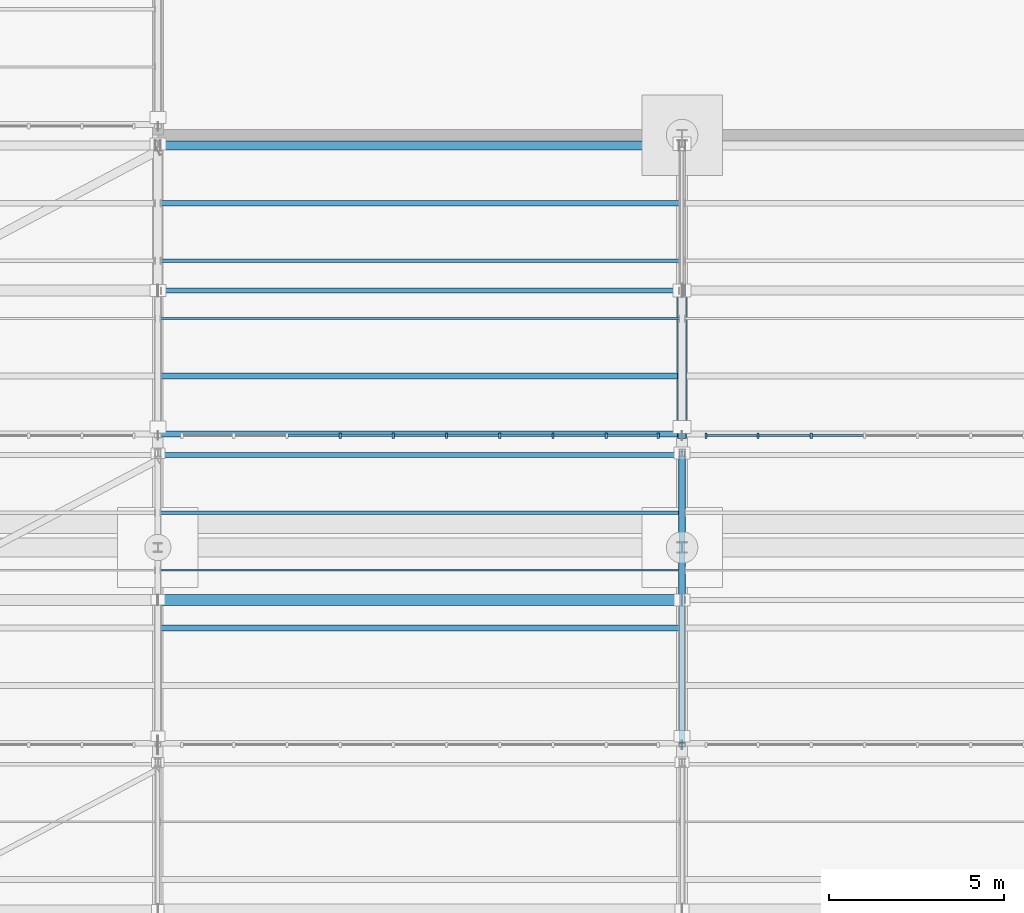
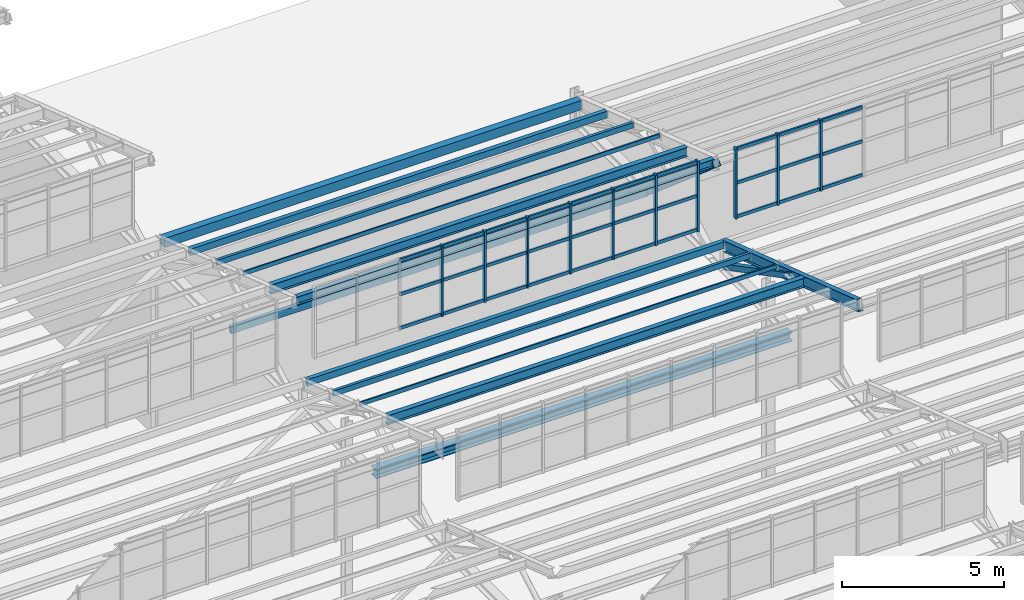
# One storey, part 97 of 285: 44 members, 11 beams, 2 elements without a shape of their own.
"""IFC4 building model written with IfcOpenShell, lengths in metres."""

from ifc_helpers import new_model, si_unit, direction, frame, origin, origin_2d, place, context, subcontext, project, spatial, rectangle, hollow_rectangle, i_section, extrude, material, material_profile, profile_set, type_object, element, aggregate, save


model = new_model("IFC4")

# Units and contexts
model_context = context("Model", 3, precision=1e-05, world=origin(), true_north=direction((0.0, 1.0)))
body_context = subcontext(model_context, "Body", "Model", "MODEL_VIEW")
ifc_project = project(units=[si_unit("LENGTHUNIT", "METRE"), si_unit("AREAUNIT", "SQUARE_METRE"), si_unit("VOLUMEUNIT", "CUBIC_METRE"), si_unit("PLANEANGLEUNIT", "RADIAN"), si_unit("MASSUNIT", "GRAM", prefix="KILO")], contexts=[model_context])

# Site, building, storey
site_placement = place(None, origin())
site = spatial("IfcSite", under=ifc_project, at=site_placement, CompositionType="ELEMENT")
building_placement = place(site_placement, origin())
building = spatial("IfcBuilding", under=site, at=building_placement, Name="Solanera Park Tramway Depot", CompositionType="ELEMENT")
storey_placement = place(building_placement, origin())
storey = spatial("IfcBuildingStorey", under=building, at=storey_placement, Name="L00", CompositionType="ELEMENT", Elevation=0.0)

# Curtain wall, members
ifc_material_1 = material(Name="Bronze-anodised thermally broken aluminium curtain wall", Category="aluminium")
curtain_wall_type = type_object("IfcCurtainWallType", Name="Sawtooth Clerestory Monitor Curtain Wall", PredefinedType="NOTDEFINED", material=ifc_material_1)
curtain_wall_1_placement = place(storey_placement, origin())
curtain_wall_1 = element("IfcCurtainWall", 1, at=curtain_wall_1_placement, inside=storey, type_object=curtain_wall_type, Name="L00 Sawtooth Clerestory Monitor Curtain Wall #055", PredefinedType="NOTDEFINED")
ifc_material_2 = material(Name="Bronze-anodised structural aluminium 6063-T6", Category="aluminium")
ifc_material_profile_1 = material_profile(ifc_material_2, rectangle(XDim=0.06494140625, YDim=0.14990234375, at=origin_2d()), Name="Curtain Wall Mullion 65x150")
ifc_profile_set_1 = profile_set([ifc_material_profile_1], Name="Bronze-anodised structural aluminium 6063-T6")
member_type_1 = type_object("IfcMemberType", Name="Curtain Wall Mullion 65x150", PredefinedType="MULLION", material=ifc_profile_set_1)
member_1_placement = place(storey_placement, frame((65.216796875, 117.699951171875, 7.75), z_axis=(0.0, 0.0, 1.0), x_axis=(1.0, 0.0, 0.0)))
member_1 = element("IfcMember", 2, at=member_1_placement, type_object=member_type_1, Name="CW-L00-055 Mullion 4", PredefinedType="MULLION", context=body_context, shape_type="SweptSolid", body=[
    extrude(rectangle(XDim=0.06494140625, YDim=0.14990234375, at=origin_2d()), origin(), (0.0, 0.0, 1.0), 2.6611328125),
])
member_2_placement = place(storey_placement, frame((66.739013671875, 117.699951171875, 7.75), z_axis=(0.0, 0.0, 1.0), x_axis=(1.0, 0.0, 0.0)))
member_2 = element("IfcMember", 3, at=member_2_placement, type_object=member_type_1, Name="CW-L00-055 Mullion 5", PredefinedType="MULLION", context=body_context, shape_type="SweptSolid", body=[
    extrude(rectangle(XDim=0.06494140625, YDim=0.14990234375, at=origin_2d()), origin(), (0.0, 0.0, 1.0), 2.6611328125),
])
member_3_placement = place(storey_placement, frame((68.260986328125, 117.699951171875, 7.75), z_axis=(0.0, 0.0, 1.0), x_axis=(1.0, 0.0, 0.0)))
member_3 = element("IfcMember", 4, at=member_3_placement, type_object=member_type_1, Name="CW-L00-055 Mullion 6", PredefinedType="MULLION", context=body_context, shape_type="SweptSolid", body=[
    extrude(rectangle(XDim=0.06494140625, YDim=0.14990234375, at=origin_2d()), origin(), (0.0, 0.0, 1.0), 2.6611328125),
])
member_4_placement = place(storey_placement, frame((69.783203125, 117.699951171875, 7.75), z_axis=(0.0, 0.0, 1.0), x_axis=(1.0, 0.0, 0.0)))
member_4 = element("IfcMember", 5, at=member_4_placement, type_object=member_type_1, Name="CW-L00-055 Mullion 7", PredefinedType="MULLION", context=body_context, shape_type="SweptSolid", body=[
    extrude(rectangle(XDim=0.06494140625, YDim=0.14990234375, at=origin_2d()), origin(), (0.0, 0.0, 1.0), 2.6611328125),
])
member_5_placement = place(storey_placement, frame((71.3056640625, 117.699951171875, 7.75), z_axis=(0.0, 0.0, 1.0), x_axis=(1.0, 0.0, 0.0)))
member_5 = element("IfcMember", 6, at=member_5_placement, type_object=member_type_1, Name="CW-L00-055 Mullion 8", PredefinedType="MULLION", context=body_context, shape_type="SweptSolid", body=[
    extrude(rectangle(XDim=0.06494140625, YDim=0.14990234375, at=origin_2d()), origin(), (0.0, 0.0, 1.0), 2.6611328125),
])
member_6_placement = place(storey_placement, frame((72.827880859375, 117.699951171875, 7.75), z_axis=(0.0, 0.0, 1.0), x_axis=(1.0, 0.0, 0.0)))
member_6 = element("IfcMember", 7, at=member_6_placement, type_object=member_type_1, Name="CW-L00-055 Mullion 9", PredefinedType="MULLION", context=body_context, shape_type="SweptSolid", body=[
    extrude(rectangle(XDim=0.06494140625, YDim=0.14990234375, at=origin_2d()), origin(), (0.0, 0.0, 1.0), 2.6611328125),
])
member_7_placement = place(storey_placement, frame((74.3173828125, 117.699951171875, 7.75), z_axis=(0.0, 0.0, 1.0), x_axis=(1.0, 0.0, 0.0)))
member_7 = element("IfcMember", 8, at=member_7_placement, type_object=member_type_1, Name="CW-L00-055 Mullion 10", PredefinedType="MULLION", context=body_context, shape_type="SweptSolid", body=[
    extrude(rectangle(XDim=0.06494140625, YDim=0.14990234375, at=origin_2d()), origin(), (0.0, 0.0, 1.0), 2.6611328125),
])

curtain_wall_2_placement = place(storey_placement, origin())
curtain_wall_2 = element("IfcCurtainWall", 9, at=curtain_wall_2_placement, inside=storey, type_object=curtain_wall_type, Name="L00 Sawtooth Clerestory Monitor Curtain Wall #056", PredefinedType="NOTDEFINED")
member_8_placement = place(storey_placement, frame((75.6826171875, 117.699951171875, 7.75), z_axis=(0.0, 0.0, 1.0), x_axis=(1.0, 0.0, 0.0)))
member_8 = element("IfcMember", 10, at=member_8_placement, type_object=member_type_1, Name="CW-L00-056 Mullion 1", PredefinedType="MULLION", context=body_context, shape_type="SweptSolid", body=[
    extrude(rectangle(XDim=0.06494140625, YDim=0.14990234375, at=origin_2d()), origin(), (0.0, 0.0, 1.0), 2.6611328125),
])
member_9_placement = place(storey_placement, frame((77.172119140625, 117.699951171875, 7.75), z_axis=(0.0, 0.0, 1.0), x_axis=(1.0, 0.0, 0.0)))
member_9 = element("IfcMember", 11, at=member_9_placement, type_object=member_type_1, Name="CW-L00-056 Mullion 2", PredefinedType="MULLION", context=body_context, shape_type="SweptSolid", body=[
    extrude(rectangle(XDim=0.06494140625, YDim=0.14990234375, at=origin_2d()), origin(), (0.0, 0.0, 1.0), 2.6611328125),
])
member_10_placement = place(storey_placement, frame((78.6943359375, 117.699951171875, 7.75), z_axis=(0.0, 0.0, 1.0), x_axis=(1.0, 0.0, 0.0)))
member_10 = element("IfcMember", 12, at=member_10_placement, type_object=member_type_1, Name="CW-L00-056 Mullion 3", PredefinedType="MULLION", context=body_context, shape_type="SweptSolid", body=[
    extrude(rectangle(XDim=0.06494140625, YDim=0.14990234375, at=origin_2d()), origin(), (0.0, 0.0, 1.0), 2.6611328125),
])

# Member
ifc_material_3 = material(Name="Bronze-anodised structural aluminium 6063-T6", Category="aluminium")
ifc_material_profile_2 = material_profile(ifc_material_3, rectangle(XDim=0.06494140625, YDim=0.1201171875, at=origin_2d()), Name="Curtain Wall Transom 65x120")
ifc_profile_set_2 = profile_set([ifc_material_profile_2], Name="Bronze-anodised structural aluminium 6063-T6")
member_type_2 = type_object("IfcMemberType", Name="Curtain Wall Transom 65x120", PredefinedType="USERDEFINED", material=ifc_profile_set_2)
member_11_placement = place(storey_placement, frame((63.722412109375, 117.699951171875, 7.81005859375), z_axis=(1.0, 0.0, 0.0), x_axis=(0.0, 1.0, 0.0)))
member_11 = element("IfcMember", 13, at=member_11_placement, type_object=member_type_2, Name="CW-L00-055 Transom R1.C3", ObjectType="TRANSOM", PredefinedType="USERDEFINED", context=body_context, shape_type="SweptSolid", body=[
    extrude(rectangle(XDim=0.06494140625, YDim=0.1201171875, at=origin_2d()), origin(), (0.0, 0.0, 1.0), 1.46630859375),
])

member_12_placement = place(storey_placement, frame((65.24462890625, 117.699951171875, 7.81005859375), z_axis=(1.0, 0.0, 0.0), x_axis=(0.0, 1.0, 0.0)))
member_12 = element("IfcMember", 14, at=member_12_placement, type_object=member_type_2, Name="CW-L00-055 Transom R1.C4", ObjectType="TRANSOM", PredefinedType="USERDEFINED", context=body_context, shape_type="SweptSolid", body=[
    extrude(rectangle(XDim=0.06494140625, YDim=0.1201171875, at=origin_2d()), origin(), (0.0, 0.0, 1.0), 1.46630859375),
])

member_13_placement = place(storey_placement, frame((66.766845703125, 117.699951171875, 7.81005859375), z_axis=(1.0, 0.0, 0.0), x_axis=(0.0, 1.0, 0.0)))
member_13 = element("IfcMember", 15, at=member_13_placement, type_object=member_type_2, Name="CW-L00-055 Transom R1.C5", ObjectType="TRANSOM", PredefinedType="USERDEFINED", context=body_context, shape_type="SweptSolid", body=[
    extrude(rectangle(XDim=0.06494140625, YDim=0.1201171875, at=origin_2d()), origin(), (0.0, 0.0, 1.0), 1.46630859375),
])

member_14_placement = place(storey_placement, frame((68.2890625, 117.699951171875, 7.81005859375), z_axis=(1.0, 0.0, 0.0), x_axis=(0.0, 1.0, 0.0)))
member_14 = element("IfcMember", 16, at=member_14_placement, type_object=member_type_2, Name="CW-L00-055 Transom R1.C6", ObjectType="TRANSOM", PredefinedType="USERDEFINED", context=body_context, shape_type="SweptSolid", body=[
    extrude(rectangle(XDim=0.06494140625, YDim=0.1201171875, at=origin_2d()), origin(), (0.0, 0.0, 1.0), 1.46630859375),
])

member_15_placement = place(storey_placement, frame((69.811279296875, 117.699951171875, 7.81005859375), z_axis=(1.0, 0.0, 0.0), x_axis=(0.0, 1.0, 0.0)))
member_15 = element("IfcMember", 17, at=member_15_placement, type_object=member_type_2, Name="CW-L00-055 Transom R1.C7", ObjectType="TRANSOM", PredefinedType="USERDEFINED", context=body_context, shape_type="SweptSolid", body=[
    extrude(rectangle(XDim=0.06494140625, YDim=0.1201171875, at=origin_2d()), origin(), (0.0, 0.0, 1.0), 1.46630859375),
])

member_16_placement = place(storey_placement, frame((71.33349609375, 117.699951171875, 7.81005859375), z_axis=(1.0, 0.0, 0.0), x_axis=(0.0, 1.0, 0.0)))
member_16 = element("IfcMember", 18, at=member_16_placement, type_object=member_type_2, Name="CW-L00-055 Transom R1.C8", ObjectType="TRANSOM", PredefinedType="USERDEFINED", context=body_context, shape_type="SweptSolid", body=[
    extrude(rectangle(XDim=0.06494140625, YDim=0.1201171875, at=origin_2d()), origin(), (0.0, 0.0, 1.0), 1.46630859375),
])

member_17_placement = place(storey_placement, frame((72.855712890625, 117.699951171875, 7.81005859375), z_axis=(1.0, 0.0, 0.0), x_axis=(0.0, 1.0, 0.0)))
member_17 = element("IfcMember", 19, at=member_17_placement, type_object=member_type_2, Name="CW-L00-055 Transom R1.C9", ObjectType="TRANSOM", PredefinedType="USERDEFINED", context=body_context, shape_type="SweptSolid", body=[
    extrude(rectangle(XDim=0.06494140625, YDim=0.1201171875, at=origin_2d()), origin(), (0.0, 0.0, 1.0), 1.433837890625),
])

member_18_placement = place(storey_placement, frame((63.722412109375, 117.699951171875, 9.08056640625), z_axis=(1.0, 0.0, 0.0), x_axis=(0.0, 1.0, 0.0)))
member_18 = element("IfcMember", 20, at=member_18_placement, type_object=member_type_2, Name="CW-L00-055 Transom R2.C3", ObjectType="TRANSOM", PredefinedType="USERDEFINED", context=body_context, shape_type="SweptSolid", body=[
    extrude(rectangle(XDim=0.06494140625, YDim=0.1201171875, at=origin_2d()), origin(), (0.0, 0.0, 1.0), 1.46630859375),
])

member_19_placement = place(storey_placement, frame((65.24462890625, 117.699951171875, 9.08056640625), z_axis=(1.0, 0.0, 0.0), x_axis=(0.0, 1.0, 0.0)))
member_19 = element("IfcMember", 21, at=member_19_placement, type_object=member_type_2, Name="CW-L00-055 Transom R2.C4", ObjectType="TRANSOM", PredefinedType="USERDEFINED", context=body_context, shape_type="SweptSolid", body=[
    extrude(rectangle(XDim=0.06494140625, YDim=0.1201171875, at=origin_2d()), origin(), (0.0, 0.0, 1.0), 1.46630859375),
])

member_20_placement = place(storey_placement, frame((66.766845703125, 117.699951171875, 9.08056640625), z_axis=(1.0, 0.0, 0.0), x_axis=(0.0, 1.0, 0.0)))
member_20 = element("IfcMember", 22, at=member_20_placement, type_object=member_type_2, Name="CW-L00-055 Transom R2.C5", ObjectType="TRANSOM", PredefinedType="USERDEFINED", context=body_context, shape_type="SweptSolid", body=[
    extrude(rectangle(XDim=0.06494140625, YDim=0.1201171875, at=origin_2d()), origin(), (0.0, 0.0, 1.0), 1.46630859375),
])

member_21_placement = place(storey_placement, frame((68.2890625, 117.699951171875, 9.08056640625), z_axis=(1.0, 0.0, 0.0), x_axis=(0.0, 1.0, 0.0)))
member_21 = element("IfcMember", 23, at=member_21_placement, type_object=member_type_2, Name="CW-L00-055 Transom R2.C6", ObjectType="TRANSOM", PredefinedType="USERDEFINED", context=body_context, shape_type="SweptSolid", body=[
    extrude(rectangle(XDim=0.06494140625, YDim=0.1201171875, at=origin_2d()), origin(), (0.0, 0.0, 1.0), 1.46630859375),
])

member_22_placement = place(storey_placement, frame((69.811279296875, 117.699951171875, 9.08056640625), z_axis=(1.0, 0.0, 0.0), x_axis=(0.0, 1.0, 0.0)))
member_22 = element("IfcMember", 24, at=member_22_placement, type_object=member_type_2, Name="CW-L00-055 Transom R2.C7", ObjectType="TRANSOM", PredefinedType="USERDEFINED", context=body_context, shape_type="SweptSolid", body=[
    extrude(rectangle(XDim=0.06494140625, YDim=0.1201171875, at=origin_2d()), origin(), (0.0, 0.0, 1.0), 1.46630859375),
])

member_23_placement = place(storey_placement, frame((71.33349609375, 117.699951171875, 9.08056640625), z_axis=(1.0, 0.0, 0.0), x_axis=(0.0, 1.0, 0.0)))
member_23 = element("IfcMember", 25, at=member_23_placement, type_object=member_type_2, Name="CW-L00-055 Transom R2.C8", ObjectType="TRANSOM", PredefinedType="USERDEFINED", context=body_context, shape_type="SweptSolid", body=[
    extrude(rectangle(XDim=0.06494140625, YDim=0.1201171875, at=origin_2d()), origin(), (0.0, 0.0, 1.0), 1.46630859375),
])

member_24_placement = place(storey_placement, frame((72.855712890625, 117.699951171875, 9.08056640625), z_axis=(1.0, 0.0, 0.0), x_axis=(0.0, 1.0, 0.0)))
member_24 = element("IfcMember", 26, at=member_24_placement, type_object=member_type_2, Name="CW-L00-055 Transom R2.C9", ObjectType="TRANSOM", PredefinedType="USERDEFINED", context=body_context, shape_type="SweptSolid", body=[
    extrude(rectangle(XDim=0.06494140625, YDim=0.1201171875, at=origin_2d()), origin(), (0.0, 0.0, 1.0), 1.433837890625),
])

member_25_placement = place(storey_placement, frame((63.722412109375, 117.699951171875, 10.351318359375), z_axis=(1.0, 0.0, 0.0), x_axis=(0.0, 1.0, 0.0)))
member_25 = element("IfcMember", 27, at=member_25_placement, type_object=member_type_2, Name="CW-L00-055 Transom R3.C3", ObjectType="TRANSOM", PredefinedType="USERDEFINED", context=body_context, shape_type="SweptSolid", body=[
    extrude(rectangle(XDim=0.06494140625, YDim=0.1201171875, at=origin_2d()), origin(), (0.0, 0.0, 1.0), 1.46630859375),
])

member_26_placement = place(storey_placement, frame((65.24462890625, 117.699951171875, 10.351318359375), z_axis=(1.0, 0.0, 0.0), x_axis=(0.0, 1.0, 0.0)))
member_26 = element("IfcMember", 28, at=member_26_placement, type_object=member_type_2, Name="CW-L00-055 Transom R3.C4", ObjectType="TRANSOM", PredefinedType="USERDEFINED", context=body_context, shape_type="SweptSolid", body=[
    extrude(rectangle(XDim=0.06494140625, YDim=0.1201171875, at=origin_2d()), origin(), (0.0, 0.0, 1.0), 1.46630859375),
])

member_27_placement = place(storey_placement, frame((66.766845703125, 117.699951171875, 10.351318359375), z_axis=(1.0, 0.0, 0.0), x_axis=(0.0, 1.0, 0.0)))
member_27 = element("IfcMember", 29, at=member_27_placement, type_object=member_type_2, Name="CW-L00-055 Transom R3.C5", ObjectType="TRANSOM", PredefinedType="USERDEFINED", context=body_context, shape_type="SweptSolid", body=[
    extrude(rectangle(XDim=0.06494140625, YDim=0.1201171875, at=origin_2d()), origin(), (0.0, 0.0, 1.0), 1.46630859375),
])

member_28_placement = place(storey_placement, frame((68.2890625, 117.699951171875, 10.351318359375), z_axis=(1.0, 0.0, 0.0), x_axis=(0.0, 1.0, 0.0)))
member_28 = element("IfcMember", 30, at=member_28_placement, type_object=member_type_2, Name="CW-L00-055 Transom R3.C6", ObjectType="TRANSOM", PredefinedType="USERDEFINED", context=body_context, shape_type="SweptSolid", body=[
    extrude(rectangle(XDim=0.06494140625, YDim=0.1201171875, at=origin_2d()), origin(), (0.0, 0.0, 1.0), 1.46630859375),
])

member_29_placement = place(storey_placement, frame((69.811279296875, 117.699951171875, 10.351318359375), z_axis=(1.0, 0.0, 0.0), x_axis=(0.0, 1.0, 0.0)))
member_29 = element("IfcMember", 31, at=member_29_placement, type_object=member_type_2, Name="CW-L00-055 Transom R3.C7", ObjectType="TRANSOM", PredefinedType="USERDEFINED", context=body_context, shape_type="SweptSolid", body=[
    extrude(rectangle(XDim=0.06494140625, YDim=0.1201171875, at=origin_2d()), origin(), (0.0, 0.0, 1.0), 1.46630859375),
])

member_30_placement = place(storey_placement, frame((71.33349609375, 117.699951171875, 10.351318359375), z_axis=(1.0, 0.0, 0.0), x_axis=(0.0, 1.0, 0.0)))
member_30 = element("IfcMember", 32, at=member_30_placement, type_object=member_type_2, Name="CW-L00-055 Transom R3.C8", ObjectType="TRANSOM", PredefinedType="USERDEFINED", context=body_context, shape_type="SweptSolid", body=[
    extrude(rectangle(XDim=0.06494140625, YDim=0.1201171875, at=origin_2d()), origin(), (0.0, 0.0, 1.0), 1.46630859375),
])

member_31_placement = place(storey_placement, frame((72.855712890625, 117.699951171875, 10.351318359375), z_axis=(1.0, 0.0, 0.0), x_axis=(0.0, 1.0, 0.0)))
member_31 = element("IfcMember", 33, at=member_31_placement, type_object=member_type_2, Name="CW-L00-055 Transom R3.C9", ObjectType="TRANSOM", PredefinedType="USERDEFINED", context=body_context, shape_type="SweptSolid", body=[
    extrude(rectangle(XDim=0.06494140625, YDim=0.1201171875, at=origin_2d()), origin(), (0.0, 0.0, 1.0), 1.433837890625),
])

aggregate(curtain_wall_1, [member_1, member_2, member_3, member_4, member_5, member_6, member_7, member_11, member_12, member_13, member_14, member_15, member_16, member_17, member_18, member_19, member_20, member_21, member_22, member_23, member_24, member_25, member_26, member_27, member_28, member_29, member_30, member_31])

member_32_placement = place(storey_placement, frame((75.71044921875, 117.699951171875, 7.81005859375), z_axis=(1.0, 0.0, 0.0), x_axis=(0.0, 1.0, 0.0)))
member_32 = element("IfcMember", 34, at=member_32_placement, type_object=member_type_2, Name="CW-L00-056 Transom R1.C1", ObjectType="TRANSOM", PredefinedType="USERDEFINED", context=body_context, shape_type="SweptSolid", body=[
    extrude(rectangle(XDim=0.06494140625, YDim=0.1201171875, at=origin_2d()), origin(), (0.0, 0.0, 1.0), 1.433837890625),
])

member_33_placement = place(storey_placement, frame((77.2001953125, 117.699951171875, 7.81005859375), z_axis=(1.0, 0.0, 0.0), x_axis=(0.0, 1.0, 0.0)))
member_33 = element("IfcMember", 35, at=member_33_placement, type_object=member_type_2, Name="CW-L00-056 Transom R1.C2", ObjectType="TRANSOM", PredefinedType="USERDEFINED", context=body_context, shape_type="SweptSolid", body=[
    extrude(rectangle(XDim=0.06494140625, YDim=0.1201171875, at=origin_2d()), origin(), (0.0, 0.0, 1.0), 1.46630859375),
])

member_34_placement = place(storey_placement, frame((78.722412109375, 117.699951171875, 7.81005859375), z_axis=(1.0, 0.0, 0.0), x_axis=(0.0, 1.0, 0.0)))
member_34 = element("IfcMember", 36, at=member_34_placement, type_object=member_type_2, Name="CW-L00-056 Transom R1.C3", ObjectType="TRANSOM", PredefinedType="USERDEFINED", context=body_context, shape_type="SweptSolid", body=[
    extrude(rectangle(XDim=0.06494140625, YDim=0.1201171875, at=origin_2d()), origin(), (0.0, 0.0, 1.0), 1.46630859375),
])

member_35_placement = place(storey_placement, frame((75.71044921875, 117.699951171875, 9.08056640625), z_axis=(1.0, 0.0, 0.0), x_axis=(0.0, 1.0, 0.0)))
member_35 = element("IfcMember", 37, at=member_35_placement, type_object=member_type_2, Name="CW-L00-056 Transom R2.C1", ObjectType="TRANSOM", PredefinedType="USERDEFINED", context=body_context, shape_type="SweptSolid", body=[
    extrude(rectangle(XDim=0.06494140625, YDim=0.1201171875, at=origin_2d()), origin(), (0.0, 0.0, 1.0), 1.433837890625),
])

member_36_placement = place(storey_placement, frame((77.2001953125, 117.699951171875, 9.08056640625), z_axis=(1.0, 0.0, 0.0), x_axis=(0.0, 1.0, 0.0)))
member_36 = element("IfcMember", 38, at=member_36_placement, type_object=member_type_2, Name="CW-L00-056 Transom R2.C2", ObjectType="TRANSOM", PredefinedType="USERDEFINED", context=body_context, shape_type="SweptSolid", body=[
    extrude(rectangle(XDim=0.06494140625, YDim=0.1201171875, at=origin_2d()), origin(), (0.0, 0.0, 1.0), 1.46630859375),
])

member_37_placement = place(storey_placement, frame((78.722412109375, 117.699951171875, 9.08056640625), z_axis=(1.0, 0.0, 0.0), x_axis=(0.0, 1.0, 0.0)))
member_37 = element("IfcMember", 39, at=member_37_placement, type_object=member_type_2, Name="CW-L00-056 Transom R2.C3", ObjectType="TRANSOM", PredefinedType="USERDEFINED", context=body_context, shape_type="SweptSolid", body=[
    extrude(rectangle(XDim=0.06494140625, YDim=0.1201171875, at=origin_2d()), origin(), (0.0, 0.0, 1.0), 1.46630859375),
])

member_38_placement = place(storey_placement, frame((75.71044921875, 117.699951171875, 10.351318359375), z_axis=(1.0, 0.0, 0.0), x_axis=(0.0, 1.0, 0.0)))
member_38 = element("IfcMember", 40, at=member_38_placement, type_object=member_type_2, Name="CW-L00-056 Transom R3.C1", ObjectType="TRANSOM", PredefinedType="USERDEFINED", context=body_context, shape_type="SweptSolid", body=[
    extrude(rectangle(XDim=0.06494140625, YDim=0.1201171875, at=origin_2d()), origin(), (0.0, 0.0, 1.0), 1.433837890625),
])

member_39_placement = place(storey_placement, frame((77.2001953125, 117.699951171875, 10.351318359375), z_axis=(1.0, 0.0, 0.0), x_axis=(0.0, 1.0, 0.0)))
member_39 = element("IfcMember", 41, at=member_39_placement, type_object=member_type_2, Name="CW-L00-056 Transom R3.C2", ObjectType="TRANSOM", PredefinedType="USERDEFINED", context=body_context, shape_type="SweptSolid", body=[
    extrude(rectangle(XDim=0.06494140625, YDim=0.1201171875, at=origin_2d()), origin(), (0.0, 0.0, 1.0), 1.46630859375),
])

member_40_placement = place(storey_placement, frame((78.722412109375, 117.699951171875, 10.351318359375), z_axis=(1.0, 0.0, 0.0), x_axis=(0.0, 1.0, 0.0)))
member_40 = element("IfcMember", 42, at=member_40_placement, type_object=member_type_2, Name="CW-L00-056 Transom R3.C3", ObjectType="TRANSOM", PredefinedType="USERDEFINED", context=body_context, shape_type="SweptSolid", body=[
    extrude(rectangle(XDim=0.06494140625, YDim=0.1201171875, at=origin_2d()), origin(), (0.0, 0.0, 1.0), 1.46630859375),
])

aggregate(curtain_wall_2, [member_8, member_9, member_10, member_32, member_33, member_34, member_35, member_36, member_37, member_38, member_39, member_40])

# Members
ifc_material_4 = material(Name="Steel AS/NZS 1163 Grade C350L0", Category="steel")
ifc_material_profile_3 = material_profile(ifc_material_4, hollow_rectangle(XDim=0.14990234375, YDim=0.25, WallThickness=0.008056640625, at=origin_2d()), Name="250x150x8.0 RHS")
ifc_profile_set_3 = profile_set([ifc_material_profile_3], Name="Steel AS/NZS 1163 Grade C350L0")
member_type_3 = type_object("IfcMemberType", Name="Secondary Truss Chord 250x150x8.0 RHS", PredefinedType="CHORD", material=ifc_profile_set_3)
member_41_placement = place(storey_placement, frame((60.087890625, 121.85009765625, 6.5), z_axis=(1.0, 0.0, 0.0), x_axis=(0.0, 1.0, 0.0)))
element("IfcMember", 43, at=member_41_placement, inside=storey, type_object=member_type_3, Name="Sawtooth Longitudinal Tie Chord 250x150x8.0 RHS #0359", PredefinedType="CHORD", context=body_context, shape_type="SweptSolid", body=[
    extrude(hollow_rectangle(XDim=0.14990234375, YDim=0.25, WallThickness=0.008056640625, at=origin_2d()), origin(), (0.0, 0.0, 1.0), 14.82421875),
])
ifc_material_5 = material(Name="Steel AS/NZS 3679.1 Grade 350", Category="steel")
ifc_material_profile_4 = material_profile(ifc_material_5, i_section(OverallWidth=0.310546875, OverallDepth=0.3271484375, WebThickness=0.015625, FlangeThickness=0.02490234375, at=origin_2d()), Name="310UC158")
ifc_profile_set_4 = profile_set([ifc_material_profile_4], Name="Steel AS/NZS 3679.1 Grade 350")
member_type_4 = type_object("IfcMemberType", Name="Secondary Truss Chord 310UC158", PredefinedType="CHORD", material=ifc_profile_set_4)
member_42_placement = place(storey_placement, frame((60.087890625, 113.0, 6.5), z_axis=(1.0, 0.0, 0.0), x_axis=(0.0, 1.0, 0.0)))
element("IfcMember", 44, at=member_42_placement, inside=storey, type_object=member_type_4, Name="Sawtooth Longitudinal Tie Chord 310UC158 #0312", PredefinedType="CHORD", context=body_context, shape_type="SweptSolid", body=[
    extrude(i_section(OverallWidth=0.310546875, OverallDepth=0.3271484375, WebThickness=0.015625, FlangeThickness=0.02490234375, at=origin_2d()), origin(), (0.0, 0.0, 1.0), 14.82421875),
])

# Beams
ifc_material_6 = material(Name="Steel AS/NZS 3679.1 Grade 350", Category="steel")
ifc_material_profile_5 = material_profile(ifc_material_6, i_section(OverallWidth=0.177734375, OverallDepth=0.406494140625, WebThickness=0.0078125, FlangeThickness=0.0126953125, at=origin_2d()), Name="410UB59.7")
ifc_profile_set_5 = profile_set([ifc_material_profile_5], Name="Steel AS/NZS 3679.1 Grade 350")
beam_type_1 = type_object("IfcBeamType", Name="Steel Beam 410UB59.7", PredefinedType="BEAM", material=ifc_profile_set_5)
beam_1_placement = place(storey_placement, frame((75.0, 108.85009765625, 10.08154296875), z_axis=(0.0, 0.948319437663, -0.317317261034), x_axis=(-1.0, 0.0, 0.0)))
element("IfcBeam", 45, at=beam_1_placement, inside=storey, type_object=beam_type_1, Name="Sawtooth ROOF TRUSS Top Rafter 410UB59.7 B07-T6", PredefinedType="BEAM", context=body_context, shape_type="SweptSolid", body=[
    extrude(i_section(OverallWidth=0.177734375, OverallDepth=0.406494140625, WebThickness=0.0078125, FlangeThickness=0.0126953125, at=origin_2d()), origin(), (0.0, 0.0, 1.0), 8.804931640625),
])
ifc_material_7 = material(Name="Steel AS/NZS 1163 Grade C350L0", Category="steel")
ifc_material_profile_6 = material_profile(ifc_material_7, hollow_rectangle(XDim=0.050048828125, YDim=0.14990234375, WallThickness=0.0048828125, at=origin_2d()), Name="150x50x5.0 RHS")
ifc_profile_set_6 = profile_set([ifc_material_profile_6], Name="Steel AS/NZS 1163 Grade C350L0")
beam_type_2 = type_object("IfcBeamType", Name="Steel Joist Purlin 150x50x5.0 RHS", PredefinedType="JOIST", material=ifc_profile_set_6)
beam_2_placement = place(storey_placement, frame((60.077880859375, 113.85009765625, 8.550537109375), z_axis=(1.0, 0.0, 0.0), x_axis=(0.0, 1.0, 0.0)))
element("IfcBeam", 46, at=beam_2_placement, inside=storey, type_object=beam_type_2, Name="Sawtooth Roof Purlin 150x50x5.0 RHS B07.4", PredefinedType="JOIST", context=body_context, shape_type="SweptSolid", body=[
    extrude(hollow_rectangle(XDim=0.050048828125, YDim=0.14990234375, WallThickness=0.0048828125, at=origin_2d()), origin(), (0.0, 0.0, 1.0), 14.84130859375),
])
beam_3_placement = place(storey_placement, frame((60.080810546875, 121.050048828125, 9.1025390625), z_axis=(1.0, 0.0, 0.0), x_axis=(0.0, 1.0, 0.0)))
element("IfcBeam", 47, at=beam_3_placement, inside=storey, type_object=beam_type_2, Name="Sawtooth Roof Purlin 150x50x5.0 RHS B08.3", PredefinedType="JOIST", context=body_context, shape_type="SweptSolid", body=[
    extrude(hollow_rectangle(XDim=0.050048828125, YDim=0.14990234375, WallThickness=0.0048828125, at=origin_2d()), origin(), (0.0, 0.0, 1.0), 14.83203125),
])
ifc_material_8 = material(Name="Steel AS/NZS 1163 Grade C350L0", Category="steel")
ifc_material_profile_7 = material_profile(ifc_material_8, hollow_rectangle(XDim=0.10009765625, YDim=0.199951171875, WallThickness=0.006103515625, at=origin_2d()), Name="200x100x6.0 RHS")
ifc_profile_set_7 = profile_set([ifc_material_profile_7], Name="Steel AS/NZS 1163 Grade C350L0")
beam_type_3 = type_object("IfcBeamType", Name="Steel Joist Purlin 200x100x6.0 RHS", PredefinedType="JOIST", material=ifc_profile_set_7)
beam_4_placement = place(storey_placement, frame((60.077880859375, 115.5, 7.965087890625), z_axis=(1.0, 0.0, 0.0), x_axis=(0.0, 1.0, 0.0)))
element("IfcBeam", 48, at=beam_4_placement, inside=storey, type_object=beam_type_3, Name="Sawtooth Roof Purlin 200x100x6.0 RHS B07.5", PredefinedType="JOIST", context=body_context, shape_type="SweptSolid", body=[
    extrude(hollow_rectangle(XDim=0.10009765625, YDim=0.199951171875, WallThickness=0.006103515625, at=origin_2d()), origin(), (0.0, 0.0, 1.0), 14.84130859375),
])
beam_5_placement = place(storey_placement, frame((60.080810546875, 122.699951171875, 8.51708984375), z_axis=(1.0, 0.0, 0.0), x_axis=(0.0, 1.0, 0.0)))
element("IfcBeam", 49, at=beam_5_placement, inside=storey, type_object=beam_type_3, Name="Sawtooth Roof Purlin 200x100x6.0 RHS B08.4", PredefinedType="JOIST", context=body_context, shape_type="SweptSolid", body=[
    extrude(hollow_rectangle(XDim=0.10009765625, YDim=0.199951171875, WallThickness=0.006103515625, at=origin_2d()), origin(), (0.0, 0.0, 1.0), 14.83203125),
])
ifc_material_9 = material(Name="Steel AS/NZS 1163 Grade C350L0", Category="steel")
ifc_material_profile_8 = material_profile(ifc_material_9, hollow_rectangle(XDim=0.14990234375, YDim=0.25, WallThickness=0.008056640625, at=origin_2d()), Name="250x150x8.0 RHS")
ifc_profile_set_8 = profile_set([ifc_material_profile_8], Name="Steel AS/NZS 1163 Grade C350L0")
beam_type_4 = type_object("IfcBeamType", Name="Steel Joist Purlin 250x150x8.0 RHS", PredefinedType="JOIST", material=ifc_profile_set_8)
beam_6_placement = place(storey_placement, frame((60.077880859375, 117.14990234375, 7.379638671875), z_axis=(1.0, 0.0, 0.0), x_axis=(0.0, 1.0, 0.0)))
element("IfcBeam", 50, at=beam_6_placement, inside=storey, type_object=beam_type_4, Name="Sawtooth Roof Purlin 250x150x8.0 RHS B07.6", PredefinedType="JOIST", context=body_context, shape_type="SweptSolid", body=[
    extrude(hollow_rectangle(XDim=0.14990234375, YDim=0.25, WallThickness=0.008056640625, at=origin_2d()), origin(), (0.0, 0.0, 1.0), 14.84130859375),
])
beam_7_placement = place(storey_placement, frame((60.080810546875, 124.35009765625, 7.931640625), z_axis=(1.0, 0.0, 0.0), x_axis=(0.0, 1.0, 0.0)))
element("IfcBeam", 51, at=beam_7_placement, inside=storey, type_object=beam_type_4, Name="Sawtooth Roof Purlin 250x150x8.0 RHS B08.5", PredefinedType="JOIST", context=body_context, shape_type="SweptSolid", body=[
    extrude(hollow_rectangle(XDim=0.14990234375, YDim=0.25, WallThickness=0.008056640625, at=origin_2d()), origin(), (0.0, 0.0, 1.0), 14.83203125),
])
ifc_material_10 = material(Name="Steel AS/NZS 3679.1 Grade 350", Category="steel")
ifc_material_profile_9 = material_profile(ifc_material_10, i_section(OverallWidth=0.166015625, OverallDepth=0.30712890625, WebThickness=0.006591796875, FlangeThickness=0.01171875, at=origin_2d()), Name="310UB46.2")
ifc_profile_set_9 = profile_set([ifc_material_profile_9], Name="Steel AS/NZS 3679.1 Grade 350")
beam_type_5 = type_object("IfcBeamType", Name="Steel Joist Purlin 310UB46.2", PredefinedType="JOIST", material=ifc_profile_set_9)
beam_8_placement = place(storey_placement, frame((60.080810546875, 117.75, 10.108642578125), z_axis=(1.0, 0.0, 0.0), x_axis=(0.0, 1.0, 0.0)))
element("IfcBeam", 52, at=beam_8_placement, inside=storey, type_object=beam_type_5, Name="Sawtooth Roof Purlin 310UB46.2 B08.1", PredefinedType="JOIST", context=body_context, shape_type="SweptSolid", body=[
    extrude(i_section(OverallWidth=0.166015625, OverallDepth=0.30712890625, WebThickness=0.006591796875, FlangeThickness=0.01171875, at=origin_2d()), origin(), (0.0, 0.0, 1.0), 14.83203125),
])
ifc_material_11 = material(Name="Steel AS/NZS 1163 Grade C350L0", Category="steel")
ifc_material_profile_10 = material_profile(ifc_material_11, hollow_rectangle(XDim=0.25, YDim=0.35009765625, WallThickness=0.010009765625, at=origin_2d()), Name="350x250x10.0 RHS")
ifc_profile_set_10 = profile_set([ifc_material_profile_10], Name="Steel AS/NZS 1163 Grade C350L0")
beam_type_6 = type_object("IfcBeamType", Name="Steel Joist Purlin 350x250x10.0 RHS", PredefinedType="JOIST", material=ifc_profile_set_10)
beam_9_placement = place(storey_placement, frame((60.080810546875, 126.0, 7.312744140625), z_axis=(1.0, 0.0, 0.0), x_axis=(0.0, 1.0, 0.0)))
element("IfcBeam", 53, at=beam_9_placement, inside=storey, type_object=beam_type_6, Name="Sawtooth Roof Purlin 350x250x10.0 RHS B08.6", PredefinedType="JOIST", context=body_context, shape_type="SweptSolid", body=[
    extrude(hollow_rectangle(XDim=0.25, YDim=0.35009765625, WallThickness=0.010009765625, at=origin_2d()), origin(), (0.0, 0.0, 1.0), 14.83203125),
])
ifc_material_12 = material(Name="Steel AS/NZS 3679.1 Grade 350", Category="steel")
ifc_material_profile_11 = material_profile(ifc_material_12, i_section(OverallWidth=0.17138671875, OverallDepth=0.355712890625, WebThickness=0.00732421875, FlangeThickness=0.011474609375, at=origin_2d()), Name="360UB50.7")
ifc_profile_set_11 = profile_set([ifc_material_profile_11], Name="Steel AS/NZS 3679.1 Grade 350")
beam_type_7 = type_object("IfcBeamType", Name="Steel Joist Purlin 360UB50.7", PredefinedType="JOIST", material=ifc_profile_set_11)
beam_10_placement = place(storey_placement, frame((60.077880859375, 112.199951171875, 8.9794921875), z_axis=(1.0, 0.0, 0.0), x_axis=(0.0, 1.0, 0.0)))
element("IfcBeam", 54, at=beam_10_placement, inside=storey, type_object=beam_type_7, Name="Sawtooth Roof Purlin 360UB50.7 B07.3", PredefinedType="JOIST", context=body_context, shape_type="SweptSolid", body=[
    extrude(i_section(OverallWidth=0.17138671875, OverallDepth=0.355712890625, WebThickness=0.00732421875, FlangeThickness=0.011474609375, at=origin_2d()), origin(), (0.0, 0.0, 1.0), 14.84130859375),
])
beam_11_placement = place(storey_placement, frame((60.080810546875, 119.39990234375, 9.531494140625), z_axis=(1.0, 0.0, 0.0), x_axis=(0.0, 1.0, 0.0)))
element("IfcBeam", 55, at=beam_11_placement, inside=storey, type_object=beam_type_7, Name="Sawtooth Roof Purlin 360UB50.7 B08.2", PredefinedType="JOIST", context=body_context, shape_type="SweptSolid", body=[
    extrude(i_section(OverallWidth=0.17138671875, OverallDepth=0.355712890625, WebThickness=0.00732421875, FlangeThickness=0.011474609375, at=origin_2d()), origin(), (0.0, 0.0, 1.0), 14.83203125),
])

# Members
ifc_material_13 = material(Name="Steel AS/NZS 1163 Grade C350L0", Category="steel")
ifc_material_profile_12 = material_profile(ifc_material_13, hollow_rectangle(XDim=0.199951171875, YDim=0.199951171875, WallThickness=0.008056640625, at=origin_2d()), Name="200x200x8.0 SHS")
ifc_profile_set_12 = profile_set([ifc_material_profile_12], Name="Steel AS/NZS 1163 Grade C350L0")
member_type_5 = type_object("IfcMemberType", Name="Truss and Frame Brace 200x200x8.0 SHS", PredefinedType="BRACE", material=ifc_profile_set_12)
member_43_placement = place(storey_placement, frame((75.0, 117.199951171875, 6.5), z_axis=(0.0, -0.886425847493, 0.462870626521), x_axis=(1.0, 0.0, 0.0)))
element("IfcMember", 56, at=member_43_placement, inside=storey, type_object=member_type_5, Name="Sawtooth ROOF TRUSS Diagonal 200x200x8.0 SHS #0289", PredefinedType="BRACE", context=body_context, shape_type="SweptSolid", body=[
    extrude(hollow_rectangle(XDim=0.199951171875, YDim=0.199951171875, WallThickness=0.008056640625, at=origin_2d()), origin(), (0.0, 0.0, 1.0), 4.738037109375),
])
ifc_material_14 = material(Name="Steel AS/NZS 1163 Grade C350L0", Category="steel")
ifc_material_profile_13 = material_profile(ifc_material_14, hollow_rectangle(XDim=0.25, YDim=0.25, WallThickness=0.010009765625, at=origin_2d()), Name="250x250x10.0 SHS")
ifc_profile_set_13 = profile_set([ifc_material_profile_13], Name="Steel AS/NZS 1163 Grade C350L0")
member_type_6 = type_object("IfcMemberType", Name="Truss and Frame Brace 250x250x10.0 SHS", PredefinedType="BRACE", material=ifc_profile_set_13)
member_44_placement = place(storey_placement, frame((75.0, 121.85009765625, 6.5), z_axis=(0.0, -0.759357496503, 0.650673645159), x_axis=(1.0, 0.0, 0.0)))
element("IfcMember", 57, at=member_44_placement, inside=storey, type_object=member_type_6, Name="Sawtooth ROOF TRUSS Web Brace 250x250x10.0 SHS #0335", PredefinedType="BRACE", context=body_context, shape_type="SweptSolid", body=[
    extrude(hollow_rectangle(XDim=0.25, YDim=0.25, WallThickness=0.010009765625, at=origin_2d()), origin(), (0.0, 0.0, 1.0), 5.46533203125),
])

save(model, "model.ifc")
